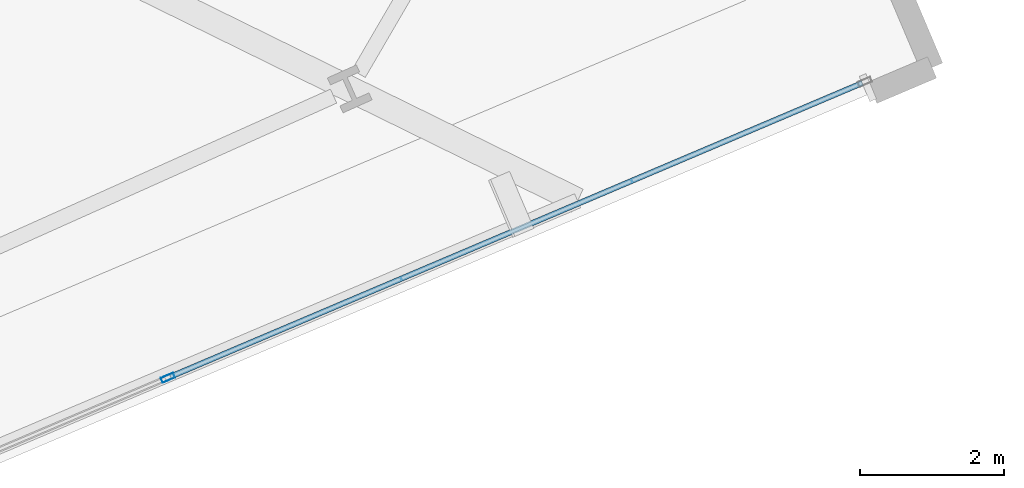
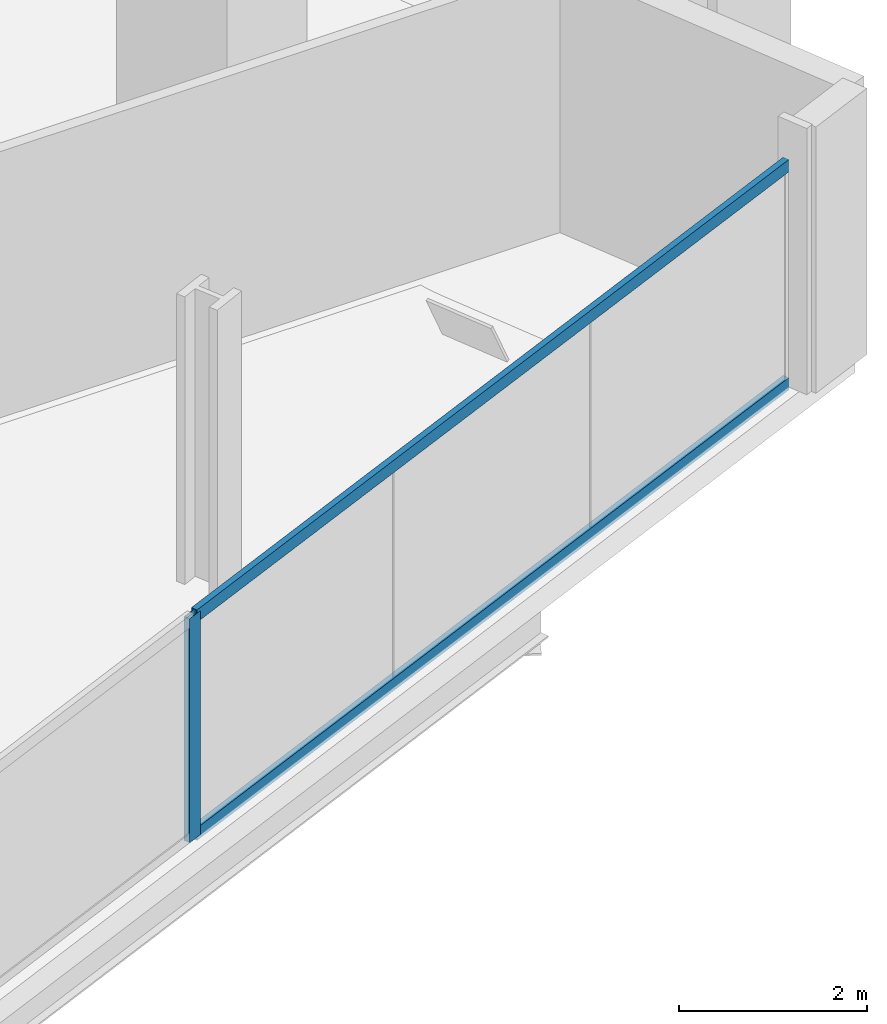
# One storey, part 10 of 34: 3 members, 1 element without a shape of its own.
"""IFC4 building model written with IfcOpenShell, lengths in metres."""

from ifc_helpers import new_model, si_unit, direction, frame, origin, origin_2d, place, context, subcontext, project, spatial, hollow_rectangle, extrude, material, material_profile, profile_set, type_object, element, aggregate, save


model = new_model("IFC4")

# Units and contexts
model_context = context("Model", 3, precision=1e-05, world=origin(), true_north=direction((0.0, 1.0)))
body_context = subcontext(model_context, "Body", "Model", "MODEL_VIEW")
ifc_project = project(units=[si_unit("LENGTHUNIT", "METRE"), si_unit("AREAUNIT", "SQUARE_METRE"), si_unit("VOLUMEUNIT", "CUBIC_METRE"), si_unit("PLANEANGLEUNIT", "RADIAN"), si_unit("MASSUNIT", "GRAM", prefix="KILO")], contexts=[model_context])

# Site, building, storey
site_placement = place(None, origin())
site = spatial("IfcSite", under=ifc_project, at=site_placement, CompositionType="ELEMENT")
building_placement = place(site_placement, origin())
building = spatial("IfcBuilding", under=site, at=building_placement, Name="Haldenkirk Collegiate Tower", CompositionType="ELEMENT")
storey_placement = place(building_placement, frame((0.0, 0.0, 105.449951171875)))
storey = spatial("IfcBuildingStorey", under=building, at=storey_placement, Name="L25", CompositionType="ELEMENT", Elevation=105.449951171875)

# Curtain wall, members
ifc_material = material(Name="Anodised architectural bronze aluminium", Category="aluminium")
curtain_wall_type = type_object("IfcCurtainWallType", Name="CW-SYS2-CONCAVE", PredefinedType="USERDEFINED", material=ifc_material)
curtain_wall_placement = place(storey_placement, origin())
curtain_wall = element("IfcCurtainWall", 1, at=curtain_wall_placement, inside=storey, type_object=curtain_wall_type, Name="L25 South concave recessed bronze-anodised curtain wall", ObjectType="UNITISED CURTAIN WALL", PredefinedType="USERDEFINED")
ifc_material_profile_1 = material_profile(ifc_material, hollow_rectangle(XDim=0.074951171875, YDim=0.18994140625, WallThickness=0.0048828125, at=origin_2d()), Name="CW-MUL-02")
ifc_profile_set_1 = profile_set([ifc_material_profile_1], Name="Anodised architectural bronze aluminium")
member_type_1 = type_object("IfcMemberType", Name="CW-MUL-02", PredefinedType="MULLION", material=ifc_profile_set_1)
member_1_placement = place(storey_placement, frame((55.2138671875, 7.735595703125, 0.0), z_axis=(0.0, 0.0, 1.0), x_axis=(0.390730945162, -0.92050493127, 0.0)))
member_1 = element("IfcMember", 2, at=member_1_placement, type_object=member_type_1, Name="CW-02 mullion 2", PredefinedType="MULLION", context=body_context, shape_type="SweptSolid", body=[
    extrude(hollow_rectangle(XDim=0.074951171875, YDim=0.18994140625, WallThickness=0.0048828125, at=origin_2d()), origin(), (0.0, 0.0, 1.0), 2.901123046875),
])
ifc_material_profile_2 = material_profile(ifc_material, hollow_rectangle(XDim=0.074951171875, YDim=0.159912109375, WallThickness=0.0048828125, at=origin_2d()), Name="CW-TRN-02")
ifc_profile_set_2 = profile_set([ifc_material_profile_2], Name="Anodised architectural bronze aluminium")
member_type_2 = type_object("IfcMemberType", Name="CW-TRN-02", PredefinedType="USERDEFINED", material=ifc_profile_set_2)
member_2_placement = place(storey_placement, frame((64.856201171875, 11.828369140625, 0.03759765625), z_axis=(-0.920507860607, -0.390724044001, 0.0), x_axis=(0.390724044001, -0.920507860607, 0.0)))
member_2 = element("IfcMember", 3, at=member_2_placement, type_object=member_type_2, Name="CW-02 transom 1.1", ObjectType="TRANSOM", PredefinedType="USERDEFINED", context=body_context, shape_type="SweptSolid", body=[
    extrude(hollow_rectangle(XDim=0.074951171875, YDim=0.159912109375, WallThickness=0.0048828125, at=origin_2d()), origin(), (0.0, 0.0, 1.0), 10.437255859375),
])
member_3_placement = place(storey_placement, frame((64.856201171875, 11.828369140625, 2.863525390625), z_axis=(-0.920507860607, -0.390724044001, 0.0), x_axis=(0.390724044001, -0.920507860607, 0.0)))
member_3 = element("IfcMember", 4, at=member_3_placement, type_object=member_type_2, Name="CW-02 transom 1.2", ObjectType="TRANSOM", PredefinedType="USERDEFINED", context=body_context, shape_type="SweptSolid", body=[
    extrude(hollow_rectangle(XDim=0.074951171875, YDim=0.159912109375, WallThickness=0.0048828125, at=origin_2d()), origin(), (0.0, 0.0, 1.0), 10.437255859375),
])
aggregate(curtain_wall, [member_1, member_2, member_3])

save(model, "model.ifc")
